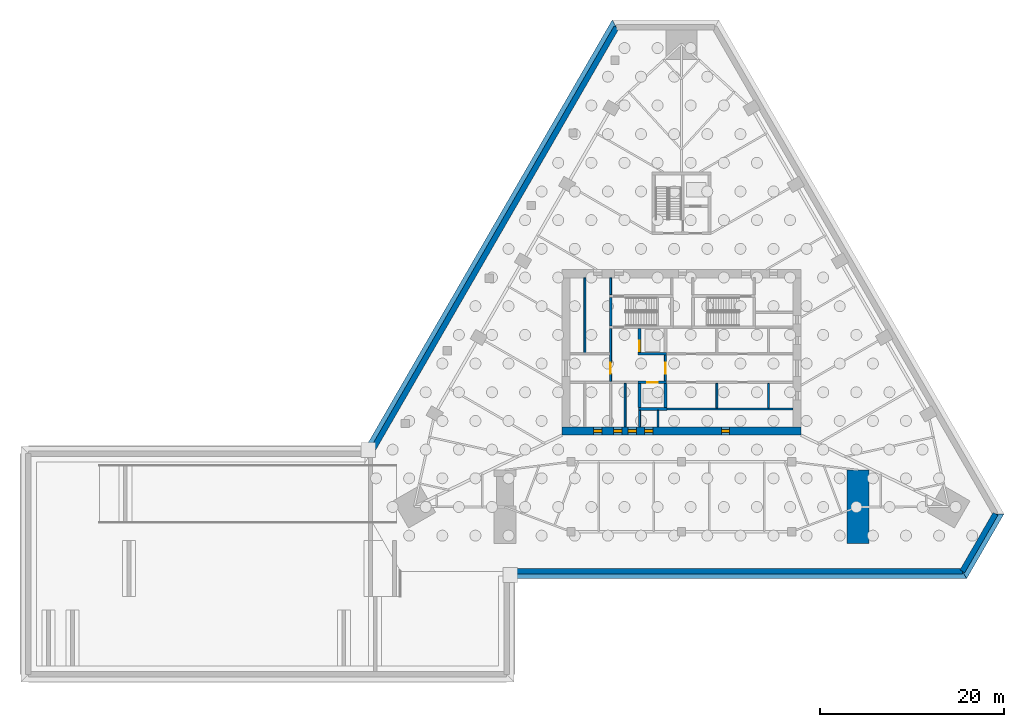
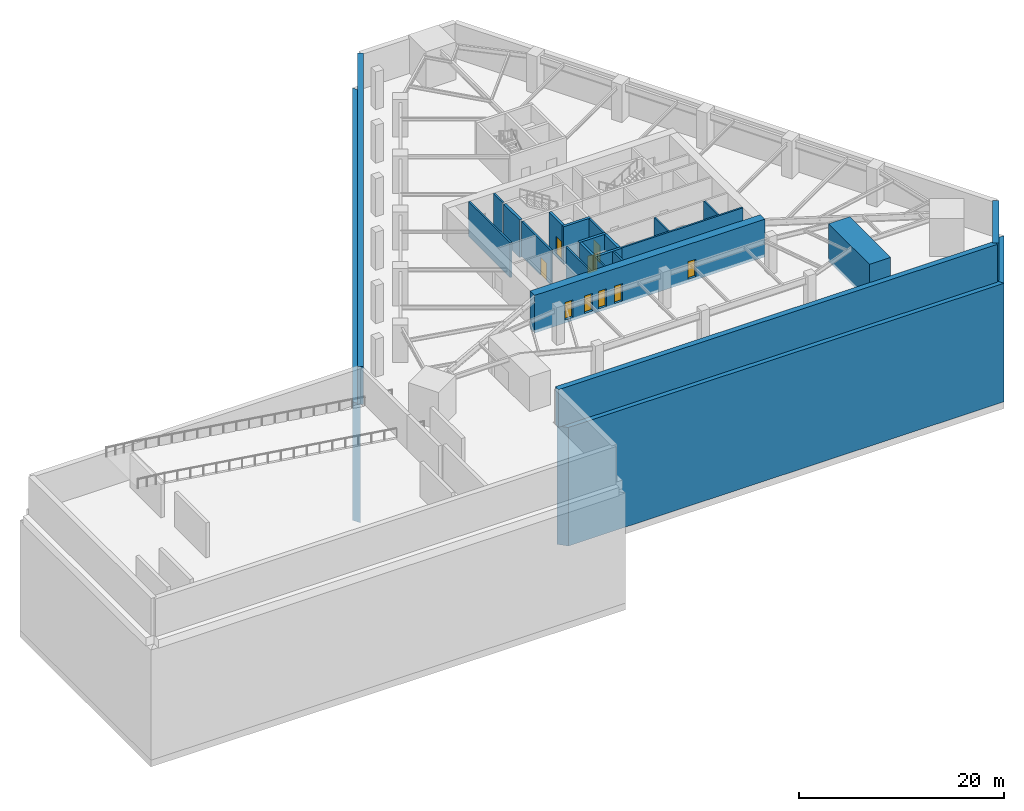
# One storey, part 4 of 8: 25 walls, 9 doors, 9 openings.
"""IFC4 building model written with IfcOpenShell, lengths in metres."""

from ifc_helpers import new_model, si_unit, direction, frame, frame_2d, origin, place, context, subcontext, project, spatial, polyline, rectangle, outline, extrude, material, layer, layer_set, type_object, element, fill, save


model = new_model("IFC4")

# Units and contexts
model_context = context("Model", 3, precision=1e-05, world=origin(), true_north=direction((0.0, 1.0)))
body_context = subcontext(model_context, "Body", "Model", "MODEL_VIEW")
ifc_project = project(units=[si_unit("LENGTHUNIT", "METRE"), si_unit("AREAUNIT", "SQUARE_METRE"), si_unit("VOLUMEUNIT", "CUBIC_METRE"), si_unit("PLANEANGLEUNIT", "RADIAN"), si_unit("MASSUNIT", "GRAM", prefix="KILO")], contexts=[model_context])

# Site, building, storey
site_placement = place(None, origin())
site = spatial("IfcSite", under=ifc_project, at=site_placement, CompositionType="ELEMENT")
building_placement = place(site_placement, origin())
building = spatial("IfcBuilding", under=site, at=building_placement, Name="Firuza Gate Tower and Library", CompositionType="ELEMENT")
storey_placement = place(building_placement, frame((0.0, 0.0, -14.0)))
storey = spatial("IfcBuildingStorey", under=building, at=storey_placement, Name="B3", CompositionType="ELEMENT", Elevation=-14.0)

# Walls
ifc_material_1 = material(Name="Plasterboard on steel studs", Category="steel")
ifc_layer_1 = layer(ifc_material_1, 0.199951171875)
ifc_layer_set_1 = layer_set([ifc_layer_1], Name="Core partition 200 EI 120")
wall_type_1 = type_object("IfcWallType", Name="Core partition 200 EI 120", PredefinedType="PARTITIONING", material=ifc_layer_set_1)
wall_1_placement = place(storey_placement, frame((73.39990234375, 68.85009765625, 0.0), z_axis=(0.0, 0.0, 1.0), x_axis=(1.0, 0.0, 0.0)))
element("IfcWall", 1, at=wall_1_placement, inside=storey, type_object=wall_type_1, Name="Core partition B3 1", PredefinedType="PARTITIONING", context=body_context, shape_type="SweptSolid", body=[
    extrude(rectangle(XDim=13.7001953125, YDim=0.199951171875, at=frame_2d((6.85009765625, 0.0))), origin(), (0.0, 0.0, 1.0), 4.14990234375),
])
wall_2_placement = place(storey_placement, frame((64.5, 74.949951171875, 0.0), z_axis=(0.0, 0.0, 1.0), x_axis=(0.0, 1.0, 0.0)))
element("IfcWall", 2, at=wall_2_placement, inside=storey, type_object=wall_type_1, Name="Core partition B3 10", PredefinedType="PARTITIONING", context=body_context, shape_type="SweptSolid", body=[
    extrude(rectangle(XDim=8.150146484375, YDim=0.199951171875, at=frame_2d((4.0751953125, 0.0))), origin(), (0.0, 0.0, 1.0), 4.14990234375),
])

# Wall, opening, door
wall_3_placement = place(storey_placement, frame((67.300048828125, 71.85009765625, 0.0), z_axis=(0.0, 0.0, 1.0), x_axis=(0.0, 1.0, 0.0)))
wall_3 = element("IfcWall", 3, at=wall_3_placement, inside=storey, type_object=wall_type_1, Name="Core partition B3 12", PredefinedType="PARTITIONING", context=body_context, shape_type="SweptSolid", body=[
    extrude(rectangle(XDim=5.75, YDim=0.199951171875, at=frame_2d((2.875, 0.0))), origin(), (0.0, 0.0, 1.0), 4.14990234375),
])
opening_1_placement = place(wall_3_placement, frame((0.85009765625, 0.0, 0.0)))
opening_1 = element("IfcOpeningElement", 4, at=opening_1_placement, cuts=wall_3, Name="Opening B3-K13", PredefinedType="OPENING", context=body_context, shape_type="SweptSolid", body=[
    extrude(rectangle(XDim=1.199951171875, YDim=2.10009765625, at=frame_2d((0.60009765625, 1.050048828125))), frame((0.0, 0.10986328125, 0.0), z_axis=(0.0, -1.0, 0.0), x_axis=(1.0, 0.0, 0.0)), (0.0, 0.0, 1.0), 0.219970703125),
])
ifc_material_2 = material(Name="Steel", Category="steel")
door_type_1 = type_object("IfcDoorType", Name="Fire door 1200x2100 FD90S", OperationType="NOTDEFINED", PredefinedType="DOOR", material=ifc_material_2)
door_1_placement = place(opening_1_placement, origin())
door_1 = element("IfcDoor", 5, at=door_1_placement, inside=storey, type_object=door_type_1, Name="Door B3-K13", OperationType="SINGLE_SWING_RIGHT", OverallHeight=2.10009765625, OverallWidth=1.199951171875, PredefinedType="DOOR", context=body_context, shape_type="SweptSolid", body=[
    extrude(rectangle(XDim=1.199951171875, YDim=2.10009765625, at=frame_2d((0.60009765625, 1.050048828125))), frame((0.0, 0.02490234375, 0.0), z_axis=(0.0, -1.0, 0.0), x_axis=(1.0, 0.0, 0.0)), (0.0, 0.0, 1.0), 0.050048828125),
])
fill(opening_1, door_1)

# Walls
wall_4_placement = place(storey_placement, frame((67.300048828125, 81.280029296875, 0.0), z_axis=(0.0, 0.0, 1.0), x_axis=(0.0, 1.0, 0.0)))
element("IfcWall", 6, at=wall_4_placement, inside=storey, type_object=wall_type_1, Name="Core partition B3 13", PredefinedType="PARTITIONING", context=body_context, shape_type="SweptSolid", body=[
    extrude(rectangle(XDim=1.820068359375, YDim=0.199951171875, at=frame_2d((0.91015625, 0.0))), origin(), (0.0, 0.0, 1.0), 4.14990234375),
])
wall_5_placement = place(storey_placement, frame((68.875, 66.89990234375, 0.0), z_axis=(0.0, 0.0, 1.0), x_axis=(0.0, 1.0, 0.0)))
element("IfcWall", 7, at=wall_5_placement, inside=storey, type_object=wall_type_1, Name="Core partition B3 14", PredefinedType="PARTITIONING", context=body_context, shape_type="SweptSolid", body=[
    extrude(rectangle(XDim=4.75, YDim=0.199951171875, at=frame_2d((2.375, 0.0))), origin(), (0.0, 0.0, 1.0), 4.14990234375),
])
for number, where, z_axis, x_axis, name in (
    (8, (70.449951171875, 66.89990234375, 0.0), (0.0, 0.0, 1.0), (0.0, 1.0, 0.0), "Core partition B3 15"),
    (9, (72.447998046875, 66.89990234375, 0.0), (0.0, 0.0, 1.0), (0.0, 1.0, 0.0), "Core partition B3 16"),
):
    element("IfcWall", number, at=place(storey_placement, frame(where, z_axis=z_axis, x_axis=x_axis)), inside=storey, type_object=wall_type_1, Name=name, PredefinedType="PARTITIONING", context=body_context, shape_type="SweptSolid", body=[
        extrude(rectangle(XDim=1.800048828125, YDim=0.199951171875, at=frame_2d((0.89990234375, 0.0))), origin(), (0.0, 0.0, 1.0), 4.14990234375),
    ])
for number, where, z_axis, x_axis, name in (
    (10, (78.85009765625, 68.949951171875, 0.0), (0.0, 0.0, 1.0), (0.0, 1.0, 0.0), "Core partition B3 20"),
    (11, (84.449951171875, 68.949951171875, 0.0), (0.0, 0.0, 1.0), (0.0, 1.0, 0.0), "Core partition B3 23"),
):
    element("IfcWall", number, at=place(storey_placement, frame(where, z_axis=z_axis, x_axis=x_axis)), inside=storey, type_object=wall_type_1, Name=name, PredefinedType="PARTITIONING", context=body_context, shape_type="SweptSolid", body=[
        extrude(rectangle(XDim=2.699951171875, YDim=0.199951171875, at=frame_2d((1.35009765625, 0.0))), origin(), (0.0, 0.0, 1.0), 4.14990234375),
    ])

# Wall, opening, door
ifc_material_3 = material(Name="Plasterboard on steel studs", Category="steel")
ifc_layer_2 = layer(ifc_material_3, 0.199951171875)
ifc_layer_set_2 = layer_set([ifc_layer_2], Name="Core partition 200 EI 60")
wall_type_2 = type_object("IfcWallType", Name="Core partition 200 EI 60", PredefinedType="PARTITIONING", material=ifc_layer_set_2)
wall_6_placement = place(storey_placement, frame((73.25, 71.89990234375, 0.0), z_axis=(0.0, 0.0, 1.0), x_axis=(0.0, 1.0, 0.0)))
wall_6 = element("IfcWall", 12, at=wall_6_placement, inside=storey, type_object=wall_type_2, Name="Core partition B3 17", PredefinedType="PARTITIONING", context=body_context, shape_type="SweptSolid", body=[
    extrude(rectangle(XDim=2.800048828125, YDim=0.199951171875, at=frame_2d((1.39990234375, 0.0))), origin(), (0.0, 0.0, 1.0), 4.14990234375),
])
opening_2_placement = place(wall_6_placement, frame((0.800048828125, 0.0, 0.0)))
opening_2 = element("IfcOpeningElement", 13, at=opening_2_placement, cuts=wall_6, Name="Opening B3-K12", PredefinedType="OPENING", context=body_context, shape_type="SweptSolid", body=[
    extrude(rectangle(XDim=1.199951171875, YDim=2.10009765625, at=frame_2d((0.60009765625, 1.050048828125))), frame((0.0, 0.10986328125, 0.0), z_axis=(0.0, -1.0, 0.0), x_axis=(1.0, 0.0, 0.0)), (0.0, 0.0, 1.0), 0.219970703125),
])
door_2_placement = place(opening_2_placement, origin())
door_2 = element("IfcDoor", 14, at=door_2_placement, inside=storey, type_object=door_type_1, Name="Door B3-K12", OperationType="SINGLE_SWING_LEFT", OverallHeight=2.10009765625, OverallWidth=1.199951171875, PredefinedType="DOOR", context=body_context, shape_type="SweptSolid", body=[
    extrude(rectangle(XDim=1.199951171875, YDim=2.10009765625, at=frame_2d((0.60009765625, 1.050048828125))), frame((0.0, 0.02490234375, 0.0), z_axis=(0.0, -1.0, 0.0), x_axis=(1.0, 0.0, 0.0)), (0.0, 0.0, 1.0), 0.050048828125),
])
fill(opening_2, door_2)

# Wall
ifc_material_4 = material(Name="Concrete C80/95", Category="concrete")
ifc_layer_3 = layer(ifc_material_4, 0.300048828125)
ifc_layer_set_3 = layer_set([ifc_layer_3], Name="Core wall 300 C80/95")
wall_type_3 = type_object("IfcWallType", Name="Core wall 300 C80/95", PredefinedType="SHEAR", material=ifc_layer_set_3)
wall_7_placement = place(storey_placement, frame((70.35009765625, 68.85009765625, -0.35009765625), z_axis=(0.0, 0.0, 1.0), x_axis=(1.0, 0.0, 0.0)))
element("IfcWall", 15, at=wall_7_placement, inside=storey, type_object=wall_type_3, Name="Core wall B3 5", PredefinedType="SHEAR", context=body_context, shape_type="SweptSolid", body=[
    extrude(rectangle(XDim=3.0498046875, YDim=0.300048828125, at=frame_2d((1.52490234375, 0.0))), origin(), (0.0, 0.0, 1.0), 4.5),
])

# Wall, opening, door
wall_8_placement = place(storey_placement, frame((70.300048828125, 71.75, -0.35009765625), z_axis=(0.0, 0.0, 1.0), x_axis=(1.0, 0.0, 0.0)))
wall_8 = element("IfcWall", 16, at=wall_8_placement, inside=storey, type_object=wall_type_3, Name="Core wall B3 6", PredefinedType="SHEAR", context=body_context, shape_type="SweptSolid", body=[
    extrude(rectangle(XDim=3.050048828125, YDim=0.300048828125, at=frame_2d((1.52490234375, 0.0))), origin(), (0.0, 0.0, 1.0), 4.5),
])
opening_3_placement = place(wall_8_placement, frame((1.0, 0.0, 0.35009765625)))
opening_3 = element("IfcOpeningElement", 17, at=opening_3_placement, cuts=wall_8, Name="Opening LD-FF1-B3", PredefinedType="OPENING", context=body_context, shape_type="SweptSolid", body=[
    extrude(rectangle(XDim=1.10009765625, YDim=2.10009765625, at=frame_2d((0.550048828125, 1.050048828125))), frame((0.0, 0.16015625, 0.0), z_axis=(0.0, -1.0, 0.0), x_axis=(1.0, 0.0, 0.0)), (0.0, 0.0, 1.0), 0.320068359375),
])
ifc_material_5 = material(Name="Stainless steel", Category="steel")
door_type_2 = type_object("IfcDoorType", Name="Lift landing door 1100x2100", OperationType="DOUBLE_DOOR_SLIDING", PredefinedType="DOOR", material=ifc_material_5)
door_3_placement = place(opening_3_placement, origin())
door_3 = element("IfcDoor", 18, at=door_3_placement, inside=storey, type_object=door_type_2, Name="Landing door FF1 B3", OperationType="DOUBLE_DOOR_SLIDING", OverallHeight=2.10009765625, OverallWidth=1.10009765625, PredefinedType="DOOR", context=body_context, shape_type="SweptSolid", body=[
    extrude(rectangle(XDim=1.10009765625, YDim=2.10009765625, at=frame_2d((0.550048828125, 1.050048828125))), frame((0.0, 0.02490234375, 0.0), z_axis=(0.0, -1.0, 0.0), x_axis=(1.0, 0.0, 0.0)), (0.0, 0.0, 1.0), 0.050048828125),
])
fill(opening_3, door_3)

# Walls
wall_9_placement = place(storey_placement, frame((70.300048828125, 74.85009765625, -0.35009765625), z_axis=(0.0, 0.0, 1.0), x_axis=(1.0, 0.0, 0.0)))
element("IfcWall", 19, at=wall_9_placement, inside=storey, type_object=wall_type_3, Name="Core wall B3 7", PredefinedType="SHEAR", context=body_context, shape_type="SweptSolid", body=[
    extrude(rectangle(XDim=3.050048828125, YDim=0.300048828125, at=frame_2d((1.52490234375, 0.0))), origin(), (0.0, 0.0, 1.0), 4.5),
])
wall_10_placement = place(storey_placement, frame((70.449951171875, 69.0, -0.35009765625), z_axis=(0.0, 0.0, 1.0), x_axis=(0.0, 1.0, 0.0)))
element("IfcWall", 20, at=wall_10_placement, inside=storey, type_object=wall_type_3, Name="Core wall B3 8", PredefinedType="SHEAR", context=body_context, shape_type="SweptSolid", body=[
    extrude(rectangle(XDim=2.60009765625, YDim=0.300048828125, at=frame_2d((1.300048828125, 0.0))), origin(), (0.0, 0.0, 1.0), 4.5),
])

# Wall, opening, door
wall_11_placement = place(storey_placement, frame((70.449951171875, 75.0, -0.35009765625), z_axis=(0.0, 0.0, 1.0), x_axis=(0.0, 1.0, 0.0)))
wall_11 = element("IfcWall", 21, at=wall_11_placement, inside=storey, type_object=wall_type_3, Name="Core wall B3 9", PredefinedType="SHEAR", context=body_context, shape_type="SweptSolid", body=[
    extrude(rectangle(XDim=2.60009765625, YDim=0.300048828125, at=frame_2d((1.300048828125, 0.0))), origin(), (0.0, 0.0, 1.0), 4.5),
])
opening_4_placement = place(wall_11_placement, frame((0.14990234375, 0.0, 0.35009765625)))
opening_4 = element("IfcOpeningElement", 22, at=opening_4_placement, cuts=wall_11, Name="Opening LD-FF2-B3", PredefinedType="OPENING", context=body_context, shape_type="SweptSolid", body=[
    extrude(rectangle(XDim=1.10009765625, YDim=2.10009765625, at=frame_2d((0.550048828125, 1.050048828125))), frame((0.0, 0.16015625, 0.0), z_axis=(0.0, -1.0, 0.0), x_axis=(1.0, 0.0, 0.0)), (0.0, 0.0, 1.0), 0.320068359375),
])
door_4_placement = place(opening_4_placement, origin())
door_4 = element("IfcDoor", 23, at=door_4_placement, inside=storey, type_object=door_type_2, Name="Landing door FF2 B3", OperationType="DOUBLE_DOOR_SLIDING", OverallHeight=2.10009765625, OverallWidth=1.10009765625, PredefinedType="DOOR", context=body_context, shape_type="SweptSolid", body=[
    extrude(rectangle(XDim=1.10009765625, YDim=2.10009765625, at=frame_2d((0.550048828125, 1.050048828125))), frame((0.0, 0.02490234375, 0.0), z_axis=(0.0, -1.0, 0.0), x_axis=(1.0, 0.0, 0.0)), (0.0, 0.0, 1.0), 0.050048828125),
])
fill(opening_4, door_4)

# Walls
wall_12_placement = place(storey_placement, frame((73.25, 69.0, -0.35009765625), z_axis=(0.0, 0.0, 1.0), x_axis=(0.0, 1.0, 0.0)))
element("IfcWall", 24, at=wall_12_placement, inside=storey, type_object=wall_type_3, Name="Core wall B3 10", PredefinedType="SHEAR", context=body_context, shape_type="SweptSolid", body=[
    extrude(rectangle(XDim=2.60009765625, YDim=0.300048828125, at=frame_2d((1.300048828125, 0.0))), origin(), (0.0, 0.0, 1.0), 4.5),
])
wall_13_placement = place(storey_placement, frame((67.300048828125, 77.89990234375, -0.35009765625), z_axis=(0.0, 0.0, 1.0), x_axis=(0.0, 1.0, 0.0)))
element("IfcWall", 25, at=wall_13_placement, inside=storey, type_object=wall_type_3, Name="Core wall B3 16", PredefinedType="SHEAR", context=body_context, shape_type="SweptSolid", body=[
    extrude(rectangle(XDim=3.080078125, YDim=0.300048828125, at=frame_2d((1.5400390625, 0.0))), origin(), (0.0, 0.0, 1.0), 4.5),
])

# Wall, openings, doors
ifc_material_6 = material(Name="Concrete C80/95", Category="concrete")
ifc_layer_4 = layer(ifc_material_6, 0.89990234375)
ifc_layer_set_4 = layer_set([ifc_layer_4], Name="Core wall 900 C80/95")
wall_type_4 = type_object("IfcWallType", Name="Core wall 900 C80/95", PredefinedType="SHEAR", material=ifc_layer_set_4)
wall_14_placement = place(storey_placement, frame((62.0, 66.449951171875, -0.35009765625), z_axis=(0.0, 0.0, 1.0), x_axis=(1.0, 0.0, 0.0)))
wall_14 = element("IfcWall", 26, at=wall_14_placement, inside=storey, type_object=wall_type_4, Name="Core wall B3 1", PredefinedType="SHEAR", context=body_context, shape_type="SweptSolid", body=[
    extrude(rectangle(XDim=26.0, YDim=0.89990234375, at=frame_2d((13.0, 0.0))), origin(), (0.0, 0.0, 1.0), 4.5),
])
opening_5_placement = place(wall_14_placement, frame((3.449951171875, 0.0, 0.35009765625)))
opening_5 = element("IfcOpeningElement", 27, at=opening_5_placement, cuts=wall_14, Name="Opening B3-K16", PredefinedType="OPENING", context=body_context, shape_type="SweptSolid", body=[
    extrude(rectangle(XDim=0.89990234375, YDim=2.10009765625, at=frame_2d((0.449951171875, 1.050048828125))), frame((0.0, 0.4599609375, 0.0), z_axis=(0.0, -1.0, 0.0), x_axis=(1.0, 0.0, 0.0)), (0.0, 0.0, 1.0), 0.919921875),
])
opening_6_placement = place(wall_14_placement, frame((5.637451171875, 0.0, 0.35009765625)))
opening_6 = element("IfcOpeningElement", 28, at=opening_6_placement, cuts=wall_14, Name="Opening B3-K17", PredefinedType="OPENING", context=body_context, shape_type="SweptSolid", body=[
    extrude(rectangle(XDim=0.89990234375, YDim=2.10009765625, at=frame_2d((0.449951171875, 1.050048828125))), frame((0.0, 0.4599609375, 0.0), z_axis=(0.0, -1.0, 0.0), x_axis=(1.0, 0.0, 0.0)), (0.0, 0.0, 1.0), 0.919921875),
])
opening_7_placement = place(wall_14_placement, frame((7.21240234375, 0.0, 0.35009765625)))
opening_7 = element("IfcOpeningElement", 29, at=opening_7_placement, cuts=wall_14, Name="Opening B3-K18", PredefinedType="OPENING", context=body_context, shape_type="SweptSolid", body=[
    extrude(rectangle(XDim=0.89990234375, YDim=2.10009765625, at=frame_2d((0.449951171875, 1.050048828125))), frame((0.0, 0.4599609375, 0.0), z_axis=(0.0, -1.0, 0.0), x_axis=(1.0, 0.0, 0.0)), (0.0, 0.0, 1.0), 0.919921875),
])
opening_8_placement = place(wall_14_placement, frame((8.9990234375, 0.0, 0.35009765625)))
opening_8 = element("IfcOpeningElement", 30, at=opening_8_placement, cuts=wall_14, Name="Opening B3-K22", PredefinedType="OPENING", context=body_context, shape_type="SweptSolid", body=[
    extrude(rectangle(XDim=0.89990234375, YDim=2.10009765625, at=frame_2d((0.449951171875, 1.050048828125))), frame((0.0, 0.4599609375, 0.0), z_axis=(0.0, -1.0, 0.0), x_axis=(1.0, 0.0, 0.0)), (0.0, 0.0, 1.0), 0.919921875),
])
opening_9_placement = place(wall_14_placement, frame((17.323974609375, 0.0, 0.35009765625)))
opening_9 = element("IfcOpeningElement", 31, at=opening_9_placement, cuts=wall_14, Name="Opening B3-K23", PredefinedType="OPENING", context=body_context, shape_type="SweptSolid", body=[
    extrude(rectangle(XDim=0.89990234375, YDim=2.10009765625, at=frame_2d((0.449951171875, 1.050048828125))), frame((0.0, 0.4599609375, 0.0), z_axis=(0.0, -1.0, 0.0), x_axis=(1.0, 0.0, 0.0)), (0.0, 0.0, 1.0), 0.919921875),
])
ifc_material_7 = material(Name="Steel", Category="steel")
door_type_3 = type_object("IfcDoorType", Name="Fire door 900x2100 FD30S", OperationType="NOTDEFINED", PredefinedType="DOOR", material=ifc_material_7)
door_5_placement = place(opening_5_placement, origin())
door_5 = element("IfcDoor", 32, at=door_5_placement, inside=storey, type_object=door_type_3, Name="Door B3-K16", OperationType="SINGLE_SWING_LEFT", OverallHeight=2.10009765625, OverallWidth=0.89990234375, PredefinedType="DOOR", context=body_context, shape_type="SweptSolid", body=[
    extrude(rectangle(XDim=0.89990234375, YDim=2.10009765625, at=frame_2d((0.449951171875, 1.050048828125))), frame((0.0, 0.169921875, 0.0), z_axis=(0.0, -1.0, 0.0), x_axis=(1.0, 0.0, 0.0)), (0.0, 0.0, 1.0), 0.33984375),
])
fill(opening_5, door_5)
door_6_placement = place(opening_6_placement, origin())
door_6 = element("IfcDoor", 33, at=door_6_placement, inside=storey, type_object=door_type_3, Name="Door B3-K17", OperationType="SINGLE_SWING_RIGHT", OverallHeight=2.10009765625, OverallWidth=0.89990234375, PredefinedType="DOOR", context=body_context, shape_type="SweptSolid", body=[
    extrude(rectangle(XDim=0.89990234375, YDim=2.10009765625, at=frame_2d((0.449951171875, 1.050048828125))), frame((0.0, 0.169921875, 0.0), z_axis=(0.0, -1.0, 0.0), x_axis=(1.0, 0.0, 0.0)), (0.0, 0.0, 1.0), 0.33984375),
])
fill(opening_6, door_6)
door_7_placement = place(opening_7_placement, origin())
door_7 = element("IfcDoor", 34, at=door_7_placement, inside=storey, type_object=door_type_3, Name="Door B3-K18", OperationType="SINGLE_SWING_LEFT", OverallHeight=2.10009765625, OverallWidth=0.89990234375, PredefinedType="DOOR", context=body_context, shape_type="SweptSolid", body=[
    extrude(rectangle(XDim=0.89990234375, YDim=2.10009765625, at=frame_2d((0.449951171875, 1.050048828125))), frame((0.0, 0.169921875, 0.0), z_axis=(0.0, -1.0, 0.0), x_axis=(1.0, 0.0, 0.0)), (0.0, 0.0, 1.0), 0.33984375),
])
fill(opening_7, door_7)
door_8_placement = place(opening_8_placement, origin())
door_8 = element("IfcDoor", 35, at=door_8_placement, inside=storey, type_object=door_type_3, Name="Door B3-K22", OperationType="SINGLE_SWING_LEFT", OverallHeight=2.10009765625, OverallWidth=0.89990234375, PredefinedType="DOOR", context=body_context, shape_type="SweptSolid", body=[
    extrude(rectangle(XDim=0.89990234375, YDim=2.10009765625, at=frame_2d((0.449951171875, 1.050048828125))), frame((0.0, 0.169921875, 0.0), z_axis=(0.0, -1.0, 0.0), x_axis=(1.0, 0.0, 0.0)), (0.0, 0.0, 1.0), 0.33984375),
])
fill(opening_8, door_8)
door_9_placement = place(opening_9_placement, origin())
door_9 = element("IfcDoor", 36, at=door_9_placement, inside=storey, type_object=door_type_3, Name="Door B3-K23", OperationType="SINGLE_SWING_RIGHT", OverallHeight=2.10009765625, OverallWidth=0.89990234375, PredefinedType="DOOR", context=body_context, shape_type="SweptSolid", body=[
    extrude(rectangle(XDim=0.89990234375, YDim=2.10009765625, at=frame_2d((0.449951171875, 1.050048828125))), frame((0.0, 0.169921875, 0.0), z_axis=(0.0, -1.0, 0.0), x_axis=(1.0, 0.0, 0.0)), (0.0, 0.0, 1.0), 0.33984375),
])
fill(opening_9, door_9)

# Walls
ifc_material_8 = material(Name="Concrete C40/50", Category="concrete")
ifc_layer_5 = layer(ifc_material_8, 0.800048828125)
ifc_layer_set_5 = layer_set([ifc_layer_5], Name="Diaphragm wall 800 C40/50")
wall_type_5 = type_object("IfcWallType", Name="Diaphragm wall 800 C40/50", PredefinedType="SOLIDWALL", material=ifc_layer_set_5)
placement = place(storey_placement, frame((0.0, 0.0, -14.5)))
element("IfcWall", 37, at=placement, inside=storey, type_object=wall_type_5, Name="Diaphragm wall 1", PredefinedType="SOLIDWALL", context=body_context, shape_type="SweptSolid", body=[
    extrude(outline(polyline([(56.0, 51.21533203125), (105.531982421875, 51.21533203125), (105.993896484375, 50.415283203125), (56.800048828125, 50.415283203125), (56.0, 51.21533203125)])), origin(), (0.0, 0.0, 1.0), 14.14990234375),
])
element("IfcWall", 38, at=placement, inside=storey, type_object=wall_type_5, Name="Diaphragm wall 2", PredefinedType="SOLIDWALL", context=body_context, shape_type="SweptSolid", body=[
    extrude(outline(polyline([(105.531982421875, 51.21533203125), (109.132080078125, 57.45068359375), (110.055908203125, 57.45068359375), (105.993896484375, 50.415283203125), (105.531982421875, 51.21533203125)])), origin(), (0.0, 0.0, 1.0), 14.14990234375),
])
element("IfcWall", 39, at=placement, inside=storey, type_object=wall_type_5, Name="Diaphragm wall 5", PredefinedType="SOLIDWALL", context=body_context, shape_type="SweptSolid", body=[
    extrude(outline(polyline([(67.935791015625, 110.333740234375), (41.18505859375, 64.0), (40.72314453125, 64.800048828125), (67.47412109375, 111.1337890625), (67.935791015625, 110.333740234375)])), origin(), (0.0, 0.0, 1.0), 14.14990234375),
])
ifc_material_9 = material(Name="Concrete C80/95", Category="concrete")
ifc_layer_6 = layer(ifc_material_9, 2.39990234375)
ifc_layer_set_6 = layer_set([ifc_layer_6], Name="Iwan wall 2400 C80/95")
wall_type_6 = type_object("IfcWallType", Name="Iwan wall 2400 C80/95", PredefinedType="SHEAR", material=ifc_layer_set_6)
wall_18_placement = place(storey_placement, frame((94.199951171875, 54.21533203125, -0.35009765625), z_axis=(0.0, 0.0, 1.0), x_axis=(0.0, 1.0, 0.0)))
element("IfcWall", 40, at=wall_18_placement, inside=storey, type_object=wall_type_6, Name="Iwan wall E B3", PredefinedType="SHEAR", context=body_context, shape_type="SweptSolid", body=[
    extrude(rectangle(XDim=8.0, YDim=2.39990234375, at=frame_2d((4.0, 0.0))), origin(), (0.0, 0.0, 1.0), 4.5),
])
ifc_material_10 = material(Name="Concrete C40/50", Category="concrete")
ifc_layer_7 = layer(ifc_material_10, 0.60009765625)
ifc_layer_set_7 = layer_set([ifc_layer_7], Name="Retaining wall 600 C40/50")
wall_type_7 = type_object("IfcWallType", Name="Retaining wall 600 C40/50", PredefinedType="SOLIDWALL", material=ifc_layer_set_7)
wall_19_placement = place(storey_placement, frame((56.0, 51.21533203125, -0.35009765625), z_axis=(0.0, 0.0, 1.0), x_axis=(1.0, 0.0, 0.0)))
element("IfcWall", 41, at=wall_19_placement, inside=storey, type_object=wall_type_7, Name="Retaining wall B3 1", PredefinedType="SOLIDWALL", context=body_context, shape_type="SweptSolid", body=[
    extrude(rectangle(XDim=49.531982421875, YDim=0.60009765625, at=frame_2d((24.76611328125, 0.0))), origin(), (0.0, 0.0, 1.0), 4.5),
])
wall_20_placement = place(storey_placement, frame((105.531982421875, 51.21533203125, -0.35009765625), z_axis=(0.0, 0.0, 1.0), x_axis=(0.500012057535, 0.866018442252, 0.0)))
element("IfcWall", 42, at=wall_20_placement, inside=storey, type_object=wall_type_7, Name="Retaining wall B3 2", PredefinedType="SOLIDWALL", context=body_context, shape_type="SweptSolid", body=[
    extrude(rectangle(XDim=7.199951171875, YDim=0.60009765625, at=frame_2d((3.60009765625, 0.0))), origin(), (0.0, 0.0, 1.0), 4.5),
])
wall_21_placement = place(storey_placement, frame((67.935791015625, 110.333740234375, -0.35009765625), z_axis=(0.0, 0.0, 1.0), x_axis=(-0.499999089162, -0.866025929656, 0.0)))
element("IfcWall", 43, at=wall_21_placement, inside=storey, type_object=wall_type_7, Name="Retaining wall B3 5", PredefinedType="SOLIDWALL", context=body_context, shape_type="SweptSolid", body=[
    extrude(rectangle(XDim=53.50146484375, YDim=0.60009765625, at=frame_2d((26.750732421875, 0.0))), origin(), (0.0, 0.0, 1.0), 4.5),
])

save(model, "model.ifc")
